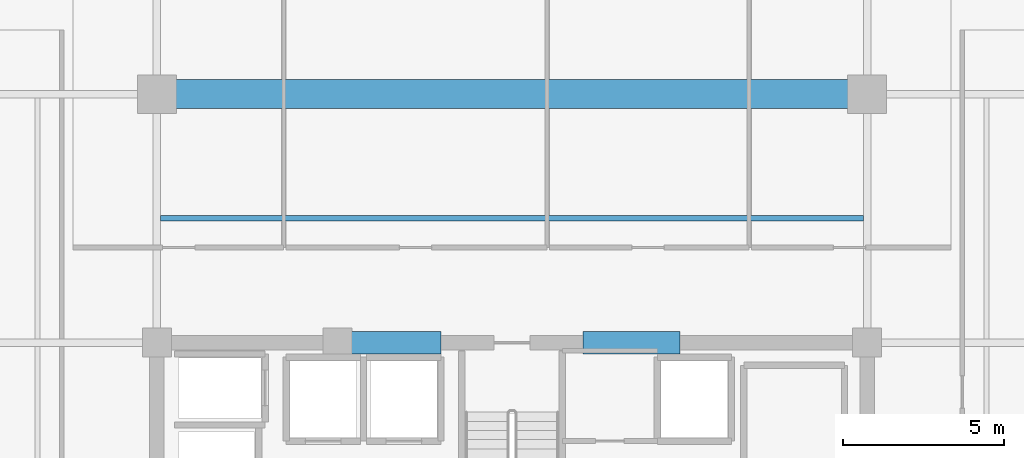
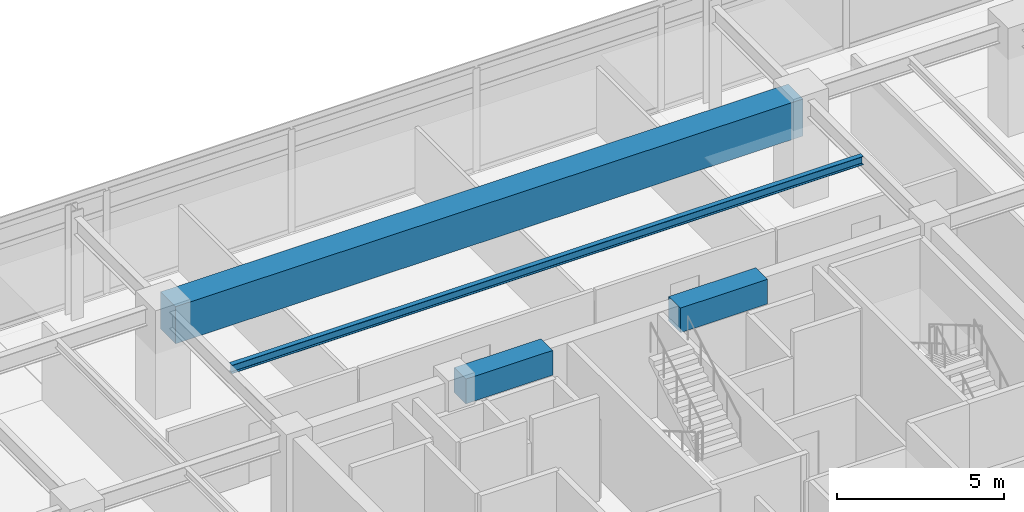
# One storey, part 8 of 21: 4 beams.
"""IFC4 building model written with IfcOpenShell, lengths in metres."""

from ifc_helpers import new_model, si_unit, direction, frame, origin, origin_2d, place, context, subcontext, project, spatial, rectangle, i_section, extrude, material, material_profile, profile_set, type_object, element, save


model = new_model("IFC4")

# Units and contexts
model_context = context("Model", 3, precision=1e-05, world=origin(), true_north=direction((0.0, 1.0)))
body_context = subcontext(model_context, "Body", "Model", "MODEL_VIEW")
ifc_project = project(units=[si_unit("LENGTHUNIT", "METRE"), si_unit("AREAUNIT", "SQUARE_METRE"), si_unit("VOLUMEUNIT", "CUBIC_METRE"), si_unit("PLANEANGLEUNIT", "RADIAN"), si_unit("MASSUNIT", "GRAM", prefix="KILO")], contexts=[model_context])

# Site, building, storey
site_placement = place(None, origin())
site = spatial("IfcSite", under=ifc_project, at=site_placement, CompositionType="ELEMENT")
building_placement = place(site_placement, origin())
building = spatial("IfcBuilding", under=site, at=building_placement, Name="Kovane Verandah Tower", CompositionType="ELEMENT")
storey_placement = place(building_placement, frame((0.0, 0.0, 263.199951171875)))
storey = spatial("IfcBuildingStorey", under=building, at=storey_placement, Name="L61", CompositionType="ELEMENT", Elevation=263.199951171875)

# Beams
ifc_material_1 = material(Name="Concrete C60/75", Category="concrete")
ifc_material_profile_1 = material_profile(ifc_material_1, rectangle(XDim=0.699951171875, YDim=0.89990234375, at=origin_2d()), Name="RCB700x900")
ifc_profile_set_1 = profile_set([ifc_material_profile_1], Name="Concrete C60/75")
beam_type_1 = type_object("IfcBeamType", Name="BM-LINTEL-700x900", PredefinedType="LINTEL", material=ifc_profile_set_1)
for number, where, z_axis, x_axis, name in (
    (1, (34.800048828125, 36.5, 3.3349609375), (1.0, 0.0, 0.0), (0.0, 1.0, 0.0), "L61 Core Coupling Lintel CL-N1"),
    (2, (42.199951171875, 36.5, 3.3349609375), (1.0, 0.0, 0.0), (0.0, 1.0, 0.0), "L61 Core Coupling Lintel CL-N2"),
):
    element("IfcBeam", number, at=place(storey_placement, frame(where, z_axis=z_axis, x_axis=x_axis)), inside=storey, type_object=beam_type_1, Name=name, PredefinedType="LINTEL", context=body_context, shape_type="SweptSolid", body=[
        extrude(rectangle(XDim=0.699951171875, YDim=0.89990234375, at=origin_2d()), origin(), (0.0, 0.0, 1.0), 3.0),
    ])
ifc_material_2 = material(Name="Concrete C80/95", Category="concrete")
ifc_material_profile_2 = material_profile(ifc_material_2, rectangle(XDim=0.89990234375, YDim=1.35009765625, at=origin_2d()), Name="RCB900x1350")
ifc_profile_set_2 = profile_set([ifc_material_profile_2], Name="Concrete C80/95")
beam_type_2 = type_object("IfcBeamType", Name="BM-TR-900x1350", PredefinedType="BEAM", material=ifc_profile_set_2)
beam_1_placement = place(storey_placement, frame((29.179931640625, 44.199951171875, 3.110107421875), z_axis=(1.0, 0.0, 0.0), x_axis=(0.0, 1.0, 0.0)))
element("IfcBeam", 3, at=beam_1_placement, inside=storey, type_object=beam_type_2, Name="L61 Primary Tower Girder G-RN2", PredefinedType="BEAM", context=body_context, shape_type="SweptSolid", body=[
    extrude(rectangle(XDim=0.89990234375, YDim=1.35009765625, at=origin_2d()), origin(), (0.0, 0.0, 1.0), 21.64013671875),
])
ifc_material_3 = material(Name="Steel S355", Category="steel")
ifc_material_profile_3 = material_profile(ifc_material_3, i_section(OverallWidth=0.1669921875, OverallDepth=0.310302734375, WebThickness=0.0078125, FlangeThickness=0.013671875, FilletRadius=0.0087890625, at=origin_2d()), Name="UB305x165x54")
ifc_profile_set_3 = profile_set([ifc_material_profile_3], Name="Steel S355")
beam_type_3 = type_object("IfcBeamType", Name="JST-UB305x54", PredefinedType="JOIST", material=ifc_profile_set_3)
beam_2_placement = place(storey_placement, frame((29.113037109375, 40.35009765625, 3.6298828125), z_axis=(1.0, 0.0, 0.0), x_axis=(0.0, 1.0, 0.0)))
element("IfcBeam", 4, at=beam_2_placement, inside=storey, type_object=beam_type_3, Name="L61 Secondary Composite Joist J-N1", PredefinedType="JOIST", context=body_context, shape_type="SweptSolid", body=[
    extrude(i_section(OverallWidth=0.1669921875, OverallDepth=0.310302734375, WebThickness=0.0078125, FlangeThickness=0.013671875, FilletRadius=0.0087890625, at=origin_2d()), origin(), (0.0, 0.0, 1.0), 21.77392578125),
])

save(model, "model.ifc")
